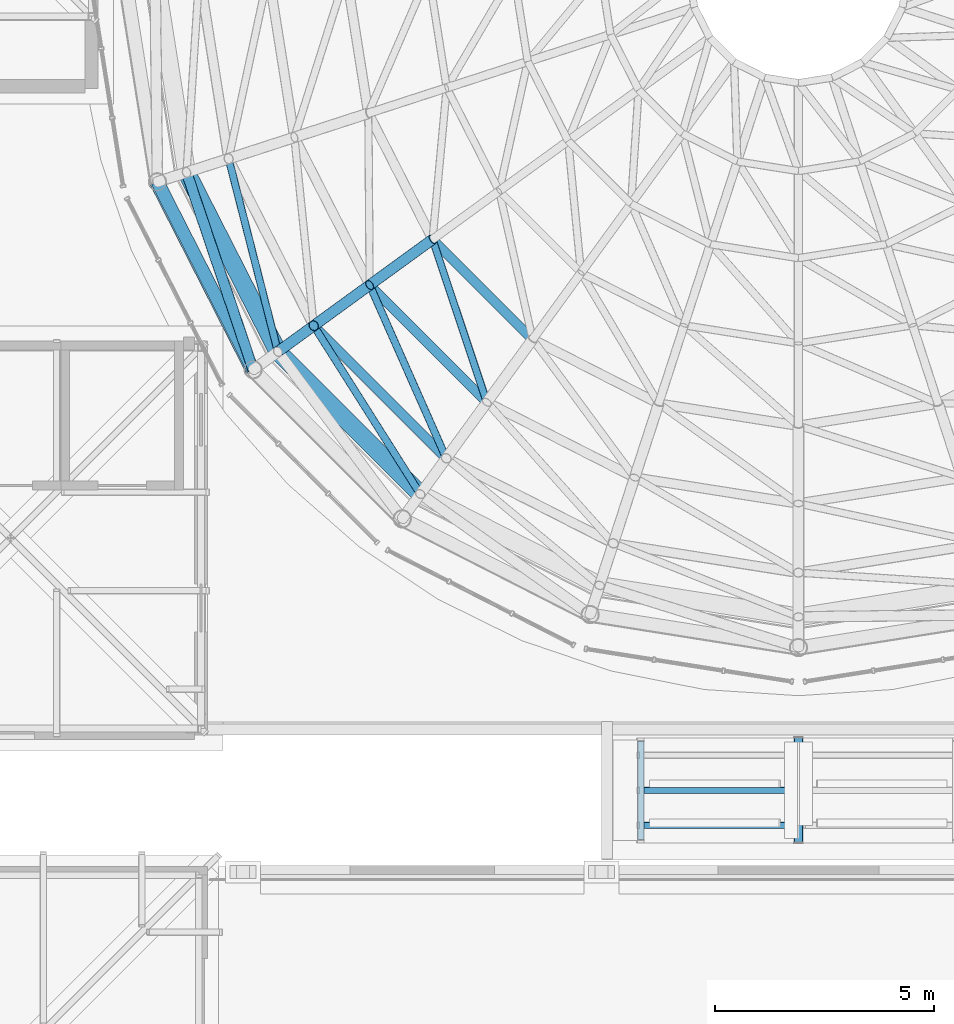
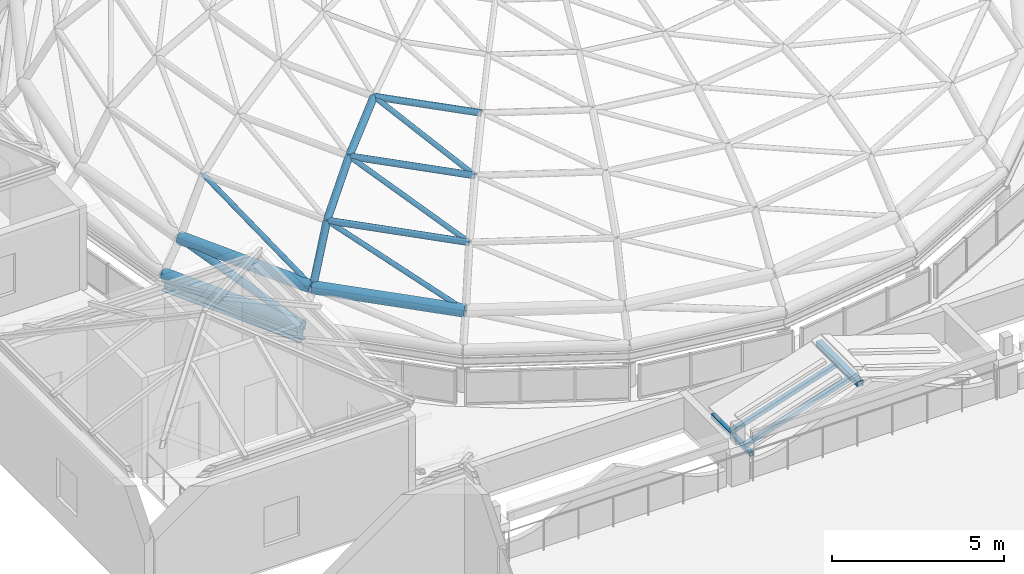
# One storey, part 15 of 69: 18 members, 1 beam.
"""IFC4 building model written with IfcOpenShell, lengths in metres."""

from ifc_helpers import new_model, si_unit, direction, frame, origin, origin_2d, place, context, subcontext, project, spatial, hollow_rectangle, hollow_circle, i_section, extrude, material, material_profile, profile_set, type_object, element, save


model = new_model("IFC4")

# Units and contexts
model_context = context("Model", 3, precision=1e-05, world=origin(), true_north=direction((0.0, 1.0)))
body_context = subcontext(model_context, "Body", "Model", "MODEL_VIEW")
ifc_project = project(units=[si_unit("LENGTHUNIT", "METRE"), si_unit("AREAUNIT", "SQUARE_METRE"), si_unit("VOLUMEUNIT", "CUBIC_METRE"), si_unit("PLANEANGLEUNIT", "RADIAN"), si_unit("MASSUNIT", "GRAM", prefix="KILO")], contexts=[model_context])

# Site, building, storey
site_placement = place(None, origin())
site = spatial("IfcSite", under=ifc_project, at=site_placement, CompositionType="ELEMENT")
building_placement = place(site_placement, origin())
building = spatial("IfcBuilding", under=site, at=building_placement, Name="Kallimachos Central Library", CompositionType="ELEMENT")
storey_placement = place(building_placement, frame((0.0, 0.0, 23.39990234375)))
storey = spatial("IfcBuildingStorey", under=building, at=storey_placement, Name="L05", CompositionType="ELEMENT", Elevation=23.39990234375)

# Members
ifc_material_1 = material(Name="Steel S355J2H", Category="steel")
ifc_material_profile_1 = material_profile(ifc_material_1, hollow_circle(Radius=0.084228515625, WallThickness=0.008056640625, at=origin_2d()), Name="CHS 168.3x8")
ifc_profile_set_1 = profile_set([ifc_material_profile_1], Name="Steel S355J2H")
member_type_1 = type_object("IfcMemberType", Name="CHS 168.3x8 dome diagonal", PredefinedType="BRACE", material=ifc_profile_set_1)
member_1_placement = place(storey_placement, frame((79.640869140625, 98.32666015625, 6.24853515625), z_axis=(0.306893847639, -0.920379779056, -0.242316381174), x_axis=(0.948652190111, 0.316321074539, 0.0)))
element("IfcMember", 1, at=member_1_placement, inside=storey, type_object=member_type_1, Name="Dome diagonal DD-4-12", PredefinedType="BRACE", context=body_context, shape_type="SweptSolid", body=[
    extrude(hollow_circle(Radius=0.084228515625, WallThickness=0.008056640625, at=origin_2d()), origin(), (0.0, 0.0, 1.0), 4.045166015625),
])
member_2_placement = place(storey_placement, frame((78.203369140625, 97.282470703125, 5.268310546875), z_axis=(0.388128518494, -0.877552679073, -0.281527172014), x_axis=(0.914542964067, 0.40448877225, 0.0)))
element("IfcMember", 2, at=member_2_placement, inside=storey, type_object=member_type_1, Name="Dome diagonal DD-5-12", PredefinedType="BRACE", context=body_context, shape_type="SweptSolid", body=[
    extrude(hollow_circle(Radius=0.084228515625, WallThickness=0.008056640625, at=origin_2d()), origin(), (0.0, 0.0, 1.0), 4.509521484375),
])
for number, where, z_axis, x_axis, name in (
    (3, (74.980712890625, 100.169677734375, 3.998779296875), (0.231534284072, -0.906269839108, -0.353647923819), (0.96888022499, 0.247530017622, 0.0), "Dome diagonal DD-6-11"),
    (4, (76.92529296875, 96.353759765625, 3.998779296875), (0.500242584103, -0.790374252327, -0.353646572595), (0.844977436229, 0.534801956115, 0.0), "Dome diagonal DD-6-12"),
):
    element("IfcMember", number, at=place(storey_placement, frame(where, z_axis=z_axis, x_axis=x_axis)), inside=storey, type_object=member_type_1, Name=name, PredefinedType="BRACE", context=body_context, shape_type="SweptSolid", body=[
        extrude(hollow_circle(Radius=0.084228515625, WallThickness=0.008056640625, at=origin_2d()), origin(), (0.0, 0.0, 1.0), 4.8662109375),
    ])
ifc_material_2 = material(Name="Steel S355J2H", Category="steel")
ifc_material_profile_2 = material_profile(ifc_material_2, hollow_circle(Radius=0.109619140625, WallThickness=0.012451171875, at=origin_2d()), Name="CHS 219.1x12.5")
ifc_profile_set_2 = profile_set([ifc_material_profile_2], Name="Steel S355J2H")
member_type_2 = type_object("IfcMemberType", Name="CHS 219.1x12.5 dome ring", PredefinedType="PURLIN", material=ifc_profile_set_2)
member_3_placement = place(storey_placement, frame((79.640869140625, 98.32666015625, 6.24853515625), z_axis=(0.707106781187, -0.707106781187, 0.0), x_axis=(0.707106781187, 0.707106781187, 0.0)))
element("IfcMember", 5, at=member_3_placement, inside=storey, type_object=member_type_2, Name="Dome ring DN-4-12", PredefinedType="PURLIN", context=body_context, shape_type="SweptSolid", body=[
    extrude(hollow_circle(Radius=0.109619140625, WallThickness=0.012451171875, at=origin_2d()), origin(), (0.0, 0.0, 1.0), 3.232666015625),
])
member_4_placement = place(storey_placement, frame((78.203369140625, 97.282470703125, 5.268310546875), z_axis=(0.707106781187, -0.707106781187, 0.0), x_axis=(0.707106781187, 0.707106781187, 0.0)))
element("IfcMember", 6, at=member_4_placement, inside=storey, type_object=member_type_2, Name="Dome ring DN-5-12", PredefinedType="PURLIN", context=body_context, shape_type="SweptSolid", body=[
    extrude(hollow_circle(Radius=0.109619140625, WallThickness=0.012451171875, at=origin_2d()), origin(), (0.0, 0.0, 1.0), 3.78857421875),
])
member_5_placement = place(storey_placement, frame((76.92529296875, 96.353759765625, 3.998779296875), z_axis=(0.707078278585, -0.707135282639, 0.0), x_axis=(0.707135282639, 0.707078278585, 0.0)))
element("IfcMember", 7, at=member_5_placement, inside=storey, type_object=member_type_2, Name="Dome ring DN-6-12", PredefinedType="PURLIN", context=body_context, shape_type="SweptSolid", body=[
    extrude(hollow_circle(Radius=0.109619140625, WallThickness=0.012451171875, at=origin_2d()), origin(), (0.0, 0.0, 1.0), 4.282958984375),
])
ifc_material_3 = material(Name="Steel S355J2H", Category="steel")
ifc_material_profile_3 = material_profile(ifc_material_3, hollow_circle(Radius=0.122314453125, WallThickness=0.012451171875, at=origin_2d()), Name="CHS 244.5x12.5")
ifc_profile_set_3 = profile_set([ifc_material_profile_3], Name="Steel S355J2H")
member_type_3 = type_object("IfcMemberType", Name="CHS 244.5x12.5 dome diagonal", PredefinedType="BRACE", material=ifc_profile_set_3)
member_6_placement = place(storey_placement, frame((74.01953125, 99.857421875, 2.27783203125), z_axis=(0.314182389417, -0.931004128434, -0.185797575387), x_axis=(0.947501993004, 0.319749860444, 0.0)))
element("IfcMember", 8, at=member_6_placement, inside=storey, type_object=member_type_3, Name="Dome diagonal DD-7-11", PredefinedType="BRACE", context=body_context, shape_type="SweptSolid", body=[
    extrude(hollow_circle(Radius=0.122314453125, WallThickness=0.012451171875, at=origin_2d()), origin(), (0.0, 0.0, 1.0), 4.843505859375),
])
ifc_material_4 = material(Name="Steel S355J2H", Category="steel")
ifc_material_profile_4 = material_profile(ifc_material_4, hollow_circle(Radius=0.122314453125, WallThickness=0.012451171875, at=origin_2d()), Name="CHS 244.5x12.5")
ifc_profile_set_4 = profile_set([ifc_material_profile_4], Name="Steel S355J2H")
member_type_4 = type_object("IfcMemberType", Name="CHS 244.5x12.5 dome rib", PredefinedType="RAFTER", material=ifc_profile_set_4)
member_7_placement = place(storey_placement, frame((79.640869140625, 98.32666015625, 6.24853515625), z_axis=(-0.708413661964, -0.51458648645, -0.48306400353), x_axis=(0.587705889038, -0.809074649207, 0.0)))
element("IfcMember", 9, at=member_7_placement, inside=storey, type_object=member_type_4, Name="Dome rib DR-4-12", PredefinedType="RAFTER", context=body_context, shape_type="SweptSolid", body=[
    extrude(hollow_circle(Radius=0.122314453125, WallThickness=0.012451171875, at=origin_2d()), origin(), (0.0, 0.0, 1.0), 2.029296875),
])
member_8_placement = place(storey_placement, frame((78.203369140625, 97.282470703125, 5.268310546875), z_axis=(-0.630605546142, -0.458227984245, -0.626389463217), x_axis=(0.587840865826, -0.808976585857, 0.0)))
element("IfcMember", 10, at=member_8_placement, inside=storey, type_object=member_type_4, Name="Dome rib DR-5-12", PredefinedType="RAFTER", context=body_context, shape_type="SweptSolid", body=[
    extrude(hollow_circle(Radius=0.122314453125, WallThickness=0.012451171875, at=origin_2d()), origin(), (0.0, 0.0, 1.0), 2.02685546875),
])
member_9_placement = place(storey_placement, frame((76.92529296875, 96.353759765625, 3.998779296875), z_axis=(-0.409771732422, -0.297726685587, -0.862233116968), x_axis=(0.587798297127, -0.809007516588, 0.0)))
element("IfcMember", 11, at=member_9_placement, inside=storey, type_object=member_type_4, Name="Dome rib DR-6-12", PredefinedType="RAFTER", context=body_context, shape_type="SweptSolid", body=[
    extrude(hollow_circle(Radius=0.122314453125, WallThickness=0.012451171875, at=origin_2d()), origin(), (0.0, 0.0, 1.0), 1.995849609375),
])
ifc_material_5 = material(Name="Steel S355J2H", Category="steel")
ifc_material_profile_5 = material_profile(ifc_material_5, hollow_circle(Radius=0.177734375, WallThickness=0.008056640625, at=origin_2d()), Name="CHS 355.6x8")
ifc_profile_set_5 = profile_set([ifc_material_profile_5], Name="Steel S355J2H")
member_type_5 = type_object("IfcMemberType", Name="CHS 355.6x8 dome ring", PredefinedType="PURLIN", material=ifc_profile_set_5)
member_10_placement = place(storey_placement, frame((73.353759765625, 99.64111328125, 1.3779296875), z_axis=(0.454010794093, -0.890996183408, 0.0), x_axis=(0.890996183408, 0.454010794093, 0.0)))
element("IfcMember", 12, at=member_10_placement, inside=storey, type_object=member_type_5, Name="Dome ring DN-8-11", PredefinedType="PURLIN", context=body_context, shape_type="SweptSolid", body=[
    extrude(hollow_circle(Radius=0.177734375, WallThickness=0.008056640625, at=origin_2d()), origin(), (0.0, 0.0, 1.0), 4.818115234375),
])
ifc_material_6 = material(Name="Steel S355J2H", Category="steel")
ifc_material_profile_6 = material_profile(ifc_material_6, hollow_circle(Radius=0.203125, WallThickness=0.012451171875, at=origin_2d()), Name="CHS 406.4x12.5")
ifc_profile_set_6 = profile_set([ifc_material_profile_6], Name="Steel S355J2H")
member_type_6 = type_object("IfcMemberType", Name="CHS 406.4x12.5 dome ring", PredefinedType="PURLIN", material=ifc_profile_set_6)
for number, where, z_axis, x_axis, name in (
    (13, (74.01953125, 99.857421875, 2.27783203125), (0.453974288531, -0.891014784026, 0.0), (0.891014784026, 0.453974288531, 0.0), "Dome ring DN-7-11"),
    (14, (76.107421875, 95.759521484375, 2.27783203125), (0.707133322739, -0.707080238637, 0.0), (0.707080238637, 0.707133322739, 0.0), "Dome ring DN-7-12"),
):
    element("IfcMember", number, at=place(storey_placement, frame(where, z_axis=z_axis, x_axis=x_axis)), inside=storey, type_object=member_type_6, Name=name, PredefinedType="PURLIN", context=body_context, shape_type="SweptSolid", body=[
        extrude(hollow_circle(Radius=0.203125, WallThickness=0.012451171875, at=origin_2d()), origin(), (0.0, 0.0, 1.0), 4.59912109375),
    ])

# Beam
ifc_material_7 = material(Name="Steel S355J2", Category="steel")
ifc_material_profile_7 = material_profile(ifc_material_7, i_section(OverallWidth=0.300048828125, OverallDepth=0.360107421875, WebThickness=0.012451171875, FlangeThickness=0.0224609375, FilletRadius=0.027099609375, at=origin_2d()), Name="HEB 360")
ifc_profile_set_7 = profile_set([ifc_material_profile_7], Name="Steel S355J2")
beam_type = type_object("IfcBeamType", Name="HEB 360 beam", PredefinedType="BEAM", material=ifc_profile_set_7)
beam_placement = place(storey_placement, frame((73.353759765625, 99.64111328125, 1.02001953125), z_axis=(0.453970566426, -0.891016680438, 0.0), x_axis=(0.891016680438, 0.453970566426, 0.0)))
element("IfcBeam", 15, at=beam_placement, inside=storey, type_object=beam_type, Name="V1-BEM-L05-012", PredefinedType="BEAM", context=body_context, shape_type="SweptSolid", body=[
    extrude(i_section(OverallWidth=0.300048828125, OverallDepth=0.360107421875, WebThickness=0.012451171875, FlangeThickness=0.0224609375, FilletRadius=0.027099609375, at=origin_2d()), origin(), (0.0, 0.0, 1.0), 4.818115234375),
])

# Members
ifc_material_8 = material(Name="Steel S355J2H", Category="steel")
ifc_material_profile_8 = material_profile(ifc_material_8, hollow_rectangle(XDim=0.14990234375, YDim=0.14990234375, WallThickness=0.010009765625, InnerFilletRadius=0.010009765625, OuterFilletRadius=0.014892578125, at=origin_2d()), Name="SHS 150x150x10")
ifc_profile_set_8 = profile_set([ifc_material_profile_8], Name="Steel S355J2H")
member_type_7 = type_object("IfcMemberType", Name="SHS 150x150x10 eaves bearer", PredefinedType="STRINGER", material=ifc_profile_set_8)
member_11_placement = place(storey_placement, frame((84.39990234375, 84.612548828125, 0.22509765625), z_axis=(0.0, 1.0, 0.0), x_axis=(-1.0, 0.0, 0.0)))
element("IfcMember", 16, at=member_11_placement, inside=storey, type_object=member_type_7, Name="Reading Link roof eaves bearer W", PredefinedType="STRINGER", context=body_context, shape_type="SweptSolid", body=[
    extrude(hollow_rectangle(XDim=0.14990234375, YDim=0.14990234375, WallThickness=0.010009765625, InnerFilletRadius=0.010009765625, OuterFilletRadius=0.014892578125, at=origin_2d()), origin(), (0.0, 0.0, 1.0), 2.25),
])
ifc_material_9 = material(Name="Steel S355J2H", Category="steel")
ifc_material_profile_9 = material_profile(ifc_material_9, hollow_rectangle(XDim=0.14990234375, YDim=0.14990234375, WallThickness=0.010009765625, InnerFilletRadius=0.010009765625, OuterFilletRadius=0.014892578125, at=origin_2d()), Name="SHS 150x150x10")
ifc_profile_set_9 = profile_set([ifc_material_profile_9], Name="Steel S355J2H")
member_type_8 = type_object("IfcMemberType", Name="SHS 150x150x10 rafter", PredefinedType="RAFTER", material=ifc_profile_set_9)
for number, where, z_axis, x_axis, name in (
    (17, (84.35009765625, 84.9375, 0.36279296875), (0.951063718587, 0.0, 0.308994827121), (0.0, 1.0, 0.0), "Reading Link roof rafter"),
    (18, (84.35009765625, 85.737548828125, 0.36279296875), (0.951063718587, 0.0, 0.308994827121), (0.0, 1.0, 0.0), "Reading Link roof rafter"),
):
    element("IfcMember", number, at=place(storey_placement, frame(where, z_axis=z_axis, x_axis=x_axis)), inside=storey, type_object=member_type_8, Name=name, PredefinedType="RAFTER", context=body_context, shape_type="SweptSolid", body=[
        extrude(hollow_rectangle(XDim=0.14990234375, YDim=0.14990234375, WallThickness=0.010009765625, InnerFilletRadius=0.010009765625, OuterFilletRadius=0.014892578125, at=origin_2d()), origin(), (0.0, 0.0, 1.0), 3.690673828125),
    ])
ifc_material_10 = material(Name="Steel S355J2H", Category="steel")
ifc_material_profile_10 = material_profile(ifc_material_10, hollow_rectangle(XDim=0.199951171875, YDim=0.199951171875, WallThickness=0.010009765625, InnerFilletRadius=0.010009765625, OuterFilletRadius=0.014892578125, at=origin_2d()), Name="SHS 200x200x10")
ifc_profile_set_10 = profile_set([ifc_material_profile_10], Name="Steel S355J2H")
member_type_9 = type_object("IfcMemberType", Name="SHS 200x200x10 ridge beam", PredefinedType="STRINGER", material=ifc_profile_set_10)
member_12_placement = place(storey_placement, frame((88.0, 84.53759765625, 1.490234375), z_axis=(0.0, 1.0, 0.0), x_axis=(-1.0, 0.0, 0.0)))
element("IfcMember", 19, at=member_12_placement, inside=storey, type_object=member_type_9, Name="Reading Link roof ridge beam", PredefinedType="STRINGER", context=body_context, shape_type="SweptSolid", body=[
    extrude(hollow_rectangle(XDim=0.199951171875, YDim=0.199951171875, WallThickness=0.010009765625, InnerFilletRadius=0.010009765625, OuterFilletRadius=0.014892578125, at=origin_2d()), origin(), (0.0, 0.0, 1.0), 2.39990234375),
])

save(model, "model.ifc")
